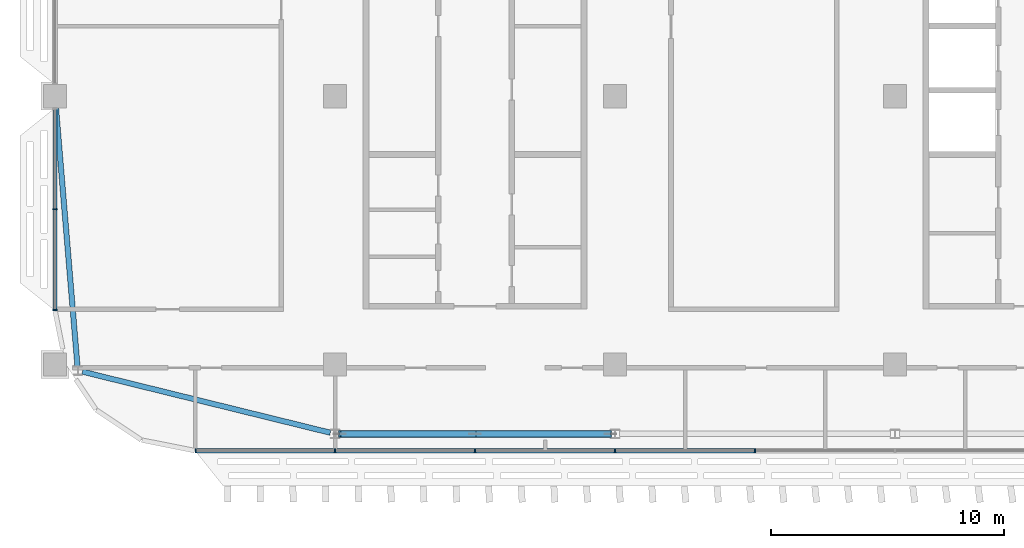
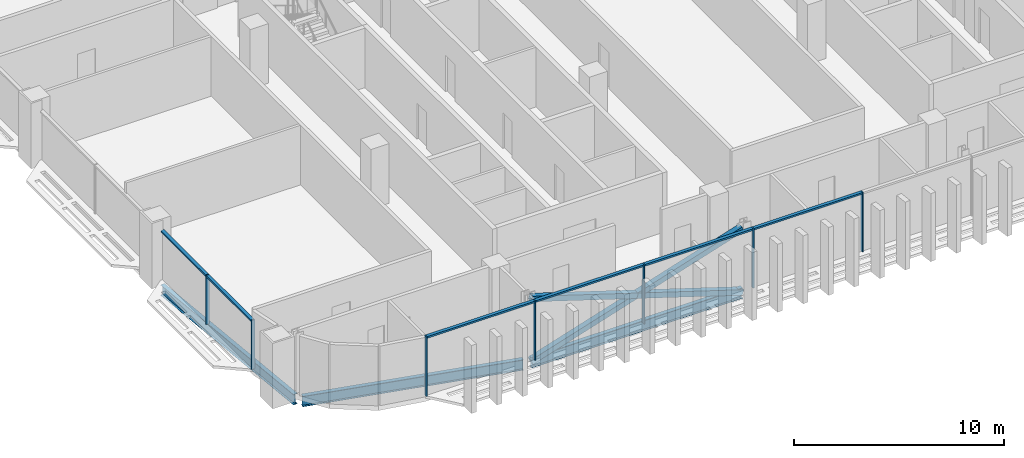
# One storey, part 5 of 34: 16 members, 3 beams, 2 elements without a shape of their own.
"""IFC4 building model written with IfcOpenShell, lengths in metres."""

from ifc_helpers import new_model, si_unit, direction, frame, origin, origin_2d, place, context, subcontext, project, spatial, rectangle, hollow_rectangle, i_section, extrude, material, material_profile, profile_set, type_object, element, aggregate, save


model = new_model("IFC4")

# Units and contexts
model_context = context("Model", 3, precision=1e-05, world=origin(), true_north=direction((0.0, 1.0)))
body_context = subcontext(model_context, "Body", "Model", "MODEL_VIEW")
ifc_project = project(units=[si_unit("LENGTHUNIT", "METRE"), si_unit("AREAUNIT", "SQUARE_METRE"), si_unit("VOLUMEUNIT", "CUBIC_METRE"), si_unit("PLANEANGLEUNIT", "RADIAN"), si_unit("MASSUNIT", "GRAM", prefix="KILO")], contexts=[model_context])

# Site, building, storey
site_placement = place(None, origin())
site = spatial("IfcSite", under=ifc_project, at=site_placement, CompositionType="ELEMENT")
building_placement = place(site_placement, origin())
building = spatial("IfcBuilding", under=site, at=building_placement, Name="Mahtab Terrace Research Tower", CompositionType="ELEMENT")
storey_placement = place(building_placement, frame((0.0, 0.0, 247.60009765625)))
storey = spatial("IfcBuildingStorey", under=building, at=storey_placement, Name="L60", CompositionType="ELEMENT", Elevation=247.60009765625)

# Members
ifc_material_1 = material(Name="Steel ASTM A500 Gr C", Category="steel")
ifc_material_profile_1 = material_profile(ifc_material_1, hollow_rectangle(XDim=0.3046875, YDim=0.3046875, WallThickness=0.015869140625, at=origin_2d()), Name="HSS12X12X5/8")
ifc_profile_set_1 = profile_set([ifc_material_profile_1], Name="Steel ASTM A500 Gr C")
member_type_1 = type_object("IfcMemberType", Name="HSS 12x12x5/8 brace XB121258", PredefinedType="BRACE", material=ifc_profile_set_1)
member_1_placement = place(storey_placement, frame((-29.800537109375, -14.472900390625, -0.58056640625), z_axis=(0.953338568311, 0.0, 0.301903252998), x_axis=(0.0, 1.0, 0.0)))
element("IfcMember", 1, at=member_1_placement, inside=storey, type_object=member_type_1, Name="Exoskeleton brace L60 13 a", PredefinedType="BRACE", context=body_context, shape_type="SweptSolid", body=[
    extrude(hollow_rectangle(XDim=0.3046875, YDim=0.3046875, WallThickness=0.015869140625, at=origin_2d()), origin(), (0.0, 0.0, 1.0), 12.1689453125),
])
for number, where, z_axis, x_axis, name in (
    (2, (-18.199462890625, -14.472900390625, -0.58056640625), (-0.953338568311, 0.0, 0.301903252998), (0.0, -1.0, 0.0), "Exoskeleton brace L60 13 b1"),
    (3, (-24.0, -14.472900390625, 1.25634765625), (-0.953338568311, 0.0, 0.301903252998), (0.0, -1.0, 0.0), "Exoskeleton brace L60 13 b2"),
):
    element("IfcMember", number, at=place(storey_placement, frame(where, z_axis=z_axis, x_axis=x_axis)), inside=storey, type_object=member_type_1, Name=name, PredefinedType="BRACE", context=body_context, shape_type="SweptSolid", body=[
        extrude(hollow_rectangle(XDim=0.3046875, YDim=0.3046875, WallThickness=0.015869140625, at=origin_2d()), origin(), (0.0, 0.0, 1.0), 6.08447265625),
    ])

# Curtain wall, members
ifc_material_2 = material(Name="Office ribbon curtain wall")
curtain_wall_type = type_object("IfcCurtainWallType", Name="Office ribbon curtain wall", PredefinedType="NOTDEFINED", material=ifc_material_2)
curtain_wall_1_placement = place(storey_placement, origin())
curtain_wall_1 = element("IfcCurtainWall", 4, at=curtain_wall_1_placement, inside=storey, type_object=curtain_wall_type, Name="EN.L60.8.10", PredefinedType="NOTDEFINED")
ifc_material_3 = material(Name="Natural anodised aluminium", Category="aluminium")
ifc_material_profile_2 = material_profile(ifc_material_3, rectangle(XDim=0.179931640625, YDim=0.06005859375, at=origin_2d()), Name="MULLION 60x180")
ifc_profile_set_2 = profile_set([ifc_material_profile_2], Name="Natural anodised aluminium")
member_type_2 = type_object("IfcMemberType", Name="Office ribbon curtain wall mullion", PredefinedType="MULLION", material=ifc_profile_set_2)
member_2_placement = place(storey_placement, frame((-42.0, -4.847412109375, 0.0), z_axis=(0.0, 0.0, 1.0), x_axis=(1.0, 0.0, 0.0)))
member_2 = element("IfcMember", 5, at=member_2_placement, type_object=member_type_2, Name="CWO-7 mullion 2", PredefinedType="MULLION", context=body_context, shape_type="SweptSolid", body=[
    extrude(rectangle(XDim=0.179931640625, YDim=0.06005859375, at=origin_2d()), origin(), (0.0, 0.0, 1.0), 2.852783203125),
])
member_3_placement = place(storey_placement, frame((-42.0, -9.1650390625, 0.0), z_axis=(0.0, 0.0, 1.0), x_axis=(1.0, 0.0, 0.0)))
member_3 = element("IfcMember", 6, at=member_3_placement, type_object=member_type_2, Name="CWO-7 mullion 3", PredefinedType="MULLION", context=body_context, shape_type="SweptSolid", body=[
    extrude(rectangle(XDim=0.179931640625, YDim=0.06005859375, at=origin_2d()), origin(), (0.0, 0.0, 1.0), 2.852783203125),
])

curtain_wall_2_placement = place(storey_placement, origin())
curtain_wall_2 = element("IfcCurtainWall", 7, at=curtain_wall_2_placement, inside=storey, type_object=curtain_wall_type, Name="EN.L60.13.15", PredefinedType="NOTDEFINED")
member_4_placement = place(storey_placement, frame((-35.969970703125, -15.195068359375, 0.0), z_axis=(0.0, 0.0, 1.0), x_axis=(0.0, 1.0, 0.0)))
member_4 = element("IfcMember", 8, at=member_4_placement, type_object=member_type_2, Name="CWO-7 mullion 1", PredefinedType="MULLION", context=body_context, shape_type="SweptSolid", body=[
    extrude(rectangle(XDim=0.179931640625, YDim=0.06005859375, at=origin_2d()), origin(), (0.0, 0.0, 1.0), 3.4599609375),
])
member_5_placement = place(storey_placement, frame((-30.0, -15.195068359375, 0.0), z_axis=(0.0, 0.0, 1.0), x_axis=(0.0, 1.0, 0.0)))
member_5 = element("IfcMember", 9, at=member_5_placement, type_object=member_type_2, Name="CWO-7 mullion 2", PredefinedType="MULLION", context=body_context, shape_type="SweptSolid", body=[
    extrude(rectangle(XDim=0.179931640625, YDim=0.06005859375, at=origin_2d()), origin(), (0.0, 0.0, 1.0), 3.4599609375),
])
member_6_placement = place(storey_placement, frame((-24.0, -15.195068359375, 0.0), z_axis=(0.0, 0.0, 1.0), x_axis=(0.0, 1.0, 0.0)))
member_6 = element("IfcMember", 10, at=member_6_placement, type_object=member_type_2, Name="CWO-7 mullion 3", PredefinedType="MULLION", context=body_context, shape_type="SweptSolid", body=[
    extrude(rectangle(XDim=0.179931640625, YDim=0.06005859375, at=origin_2d()), origin(), (0.0, 0.0, 1.0), 3.4599609375),
])
member_7_placement = place(storey_placement, frame((-18.0, -15.195068359375, 0.0), z_axis=(0.0, 0.0, 1.0), x_axis=(0.0, 1.0, 0.0)))
member_7 = element("IfcMember", 11, at=member_7_placement, type_object=member_type_2, Name="CWO-7 mullion 4", PredefinedType="MULLION", context=body_context, shape_type="SweptSolid", body=[
    extrude(rectangle(XDim=0.179931640625, YDim=0.06005859375, at=origin_2d()), origin(), (0.0, 0.0, 1.0), 3.4599609375),
])
member_8_placement = place(storey_placement, frame((-12.0, -15.195068359375, 0.0), z_axis=(0.0, 0.0, 1.0), x_axis=(0.0, 1.0, 0.0)))
member_8 = element("IfcMember", 12, at=member_8_placement, type_object=member_type_2, Name="CWO-7 mullion 5", PredefinedType="MULLION", context=body_context, shape_type="SweptSolid", body=[
    extrude(rectangle(XDim=0.179931640625, YDim=0.06005859375, at=origin_2d()), origin(), (0.0, 0.0, 1.0), 3.4599609375),
])

# Member
ifc_material_profile_3 = material_profile(ifc_material_3, rectangle(XDim=0.179931640625, YDim=0.10009765625, at=origin_2d()), Name="TRANSOM 100x180")
ifc_profile_set_3 = profile_set([ifc_material_profile_3], Name="Natural anodised aluminium")
member_type_3 = type_object("IfcMemberType", Name="Office ribbon curtain wall transom", PredefinedType="USERDEFINED", material=ifc_profile_set_3)
member_9_placement = place(storey_placement, frame((-42.0, -0.56005859375, 2.802734375), z_axis=(0.0, -1.0, 0.0), x_axis=(1.0, 0.0, 0.0)))
member_9 = element("IfcMember", 13, at=member_9_placement, type_object=member_type_3, Name="CWO-7 transom 1", ObjectType="TRANSOM", PredefinedType="USERDEFINED", context=body_context, shape_type="SweptSolid", body=[
    extrude(rectangle(XDim=0.179931640625, YDim=0.10009765625, at=origin_2d()), origin(), (0.0, 0.0, 1.0), 4.25732421875),
])

member_10_placement = place(storey_placement, frame((-42.0, -4.87744140625, 2.802734375), z_axis=(0.0, -1.0, 0.0), x_axis=(1.0, 0.0, 0.0)))
member_10 = element("IfcMember", 14, at=member_10_placement, type_object=member_type_3, Name="CWO-7 transom 2", ObjectType="TRANSOM", PredefinedType="USERDEFINED", context=body_context, shape_type="SweptSolid", body=[
    extrude(rectangle(XDim=0.179931640625, YDim=0.10009765625, at=origin_2d()), origin(), (0.0, 0.0, 1.0), 4.257568359375),
])

aggregate(curtain_wall_1, [member_2, member_3, member_9, member_10])

member_11_placement = place(storey_placement, frame((-35.93994140625, -15.195068359375, 3.409912109375), z_axis=(1.0, 0.0, 0.0), x_axis=(0.0, 1.0, 0.0)))
member_11 = element("IfcMember", 15, at=member_11_placement, type_object=member_type_3, Name="CWO-7 transom 1", ObjectType="TRANSOM", PredefinedType="USERDEFINED", context=body_context, shape_type="SweptSolid", body=[
    extrude(rectangle(XDim=0.179931640625, YDim=0.10009765625, at=origin_2d()), origin(), (0.0, 0.0, 1.0), 5.909912109375),
])

member_12_placement = place(storey_placement, frame((-29.969970703125, -15.195068359375, 3.409912109375), z_axis=(1.0, 0.0, 0.0), x_axis=(0.0, 1.0, 0.0)))
member_12 = element("IfcMember", 16, at=member_12_placement, type_object=member_type_3, Name="CWO-7 transom 2", ObjectType="TRANSOM", PredefinedType="USERDEFINED", context=body_context, shape_type="SweptSolid", body=[
    extrude(rectangle(XDim=0.179931640625, YDim=0.10009765625, at=origin_2d()), origin(), (0.0, 0.0, 1.0), 5.93994140625),
])

member_13_placement = place(storey_placement, frame((-23.969970703125, -15.195068359375, 3.409912109375), z_axis=(1.0, 0.0, 0.0), x_axis=(0.0, 1.0, 0.0)))
member_13 = element("IfcMember", 17, at=member_13_placement, type_object=member_type_3, Name="CWO-7 transom 3", ObjectType="TRANSOM", PredefinedType="USERDEFINED", context=body_context, shape_type="SweptSolid", body=[
    extrude(rectangle(XDim=0.179931640625, YDim=0.10009765625, at=origin_2d()), origin(), (0.0, 0.0, 1.0), 5.93994140625),
])

member_14_placement = place(storey_placement, frame((-17.969970703125, -15.195068359375, 3.409912109375), z_axis=(1.0, 0.0, 0.0), x_axis=(0.0, 1.0, 0.0)))
member_14 = element("IfcMember", 18, at=member_14_placement, type_object=member_type_3, Name="CWO-7 transom 4", ObjectType="TRANSOM", PredefinedType="USERDEFINED", context=body_context, shape_type="SweptSolid", body=[
    extrude(rectangle(XDim=0.179931640625, YDim=0.10009765625, at=origin_2d()), origin(), (0.0, 0.0, 1.0), 5.93994140625),
])

aggregate(curtain_wall_2, [member_4, member_5, member_6, member_7, member_8, member_11, member_12, member_13, member_14])

# Beams
ifc_material_4 = material(Name="Steel ASTM A992 Gr 50", Category="steel")
ifc_material_profile_4 = material_profile(ifc_material_4, i_section(OverallWidth=0.228271484375, OverallDepth=0.607177734375, WebThickness=0.01123046875, FlangeThickness=0.017333984375, at=origin_2d()), Name="W24X76")
ifc_profile_set_4 = profile_set([ifc_material_profile_4], Name="Steel ASTM A992 Gr 50")
beam_type = type_object("IfcBeamType", Name="W24x76 beam BS2476", PredefinedType="BEAM", material=ifc_profile_set_4)
beam_1_placement = place(storey_placement, frame((-41.958251953125, -0.5, -0.6435546875), z_axis=(0.082961772462, -0.996552730321, 0.0), x_axis=(0.996552730321, 0.082961772462, 0.0)))
element("IfcBeam", 19, at=beam_1_placement, inside=storey, type_object=beam_type, Name="Spandrel beam L60 11", PredefinedType="BEAM", context=body_context, shape_type="SweptSolid", body=[
    extrude(i_section(OverallWidth=0.228271484375, OverallDepth=0.607177734375, WebThickness=0.01123046875, FlangeThickness=0.017333984375, at=origin_2d()), origin(), (0.0, 0.0, 1.0), 11.103271484375),
])
beam_2_placement = place(storey_placement, frame((-40.821533203125, -11.80712890625, -0.6435546875), z_axis=(0.970971673225, -0.239194502014, 0.0), x_axis=(0.239194502014, 0.970971673225, 0.0)))
element("IfcBeam", 20, at=beam_2_placement, inside=storey, type_object=beam_type, Name="Spandrel beam L60 12", PredefinedType="BEAM", context=body_context, shape_type="SweptSolid", body=[
    extrude(i_section(OverallWidth=0.228271484375, OverallDepth=0.607177734375, WebThickness=0.01123046875, FlangeThickness=0.017333984375, at=origin_2d()), origin(), (0.0, 0.0, 1.0), 10.939697265625),
])
beam_3_placement = place(storey_placement, frame((-29.800537109375, -14.472900390625, -0.6435546875), z_axis=(1.0, 0.0, 0.0), x_axis=(0.0, 1.0, 0.0)))
element("IfcBeam", 21, at=beam_3_placement, inside=storey, type_object=beam_type, Name="Spandrel beam L60 13", PredefinedType="BEAM", context=body_context, shape_type="SweptSolid", body=[
    extrude(i_section(OverallWidth=0.228271484375, OverallDepth=0.607177734375, WebThickness=0.01123046875, FlangeThickness=0.017333984375, at=origin_2d()), origin(), (0.0, 0.0, 1.0), 11.60107421875),
])

save(model, "model.ifc")
